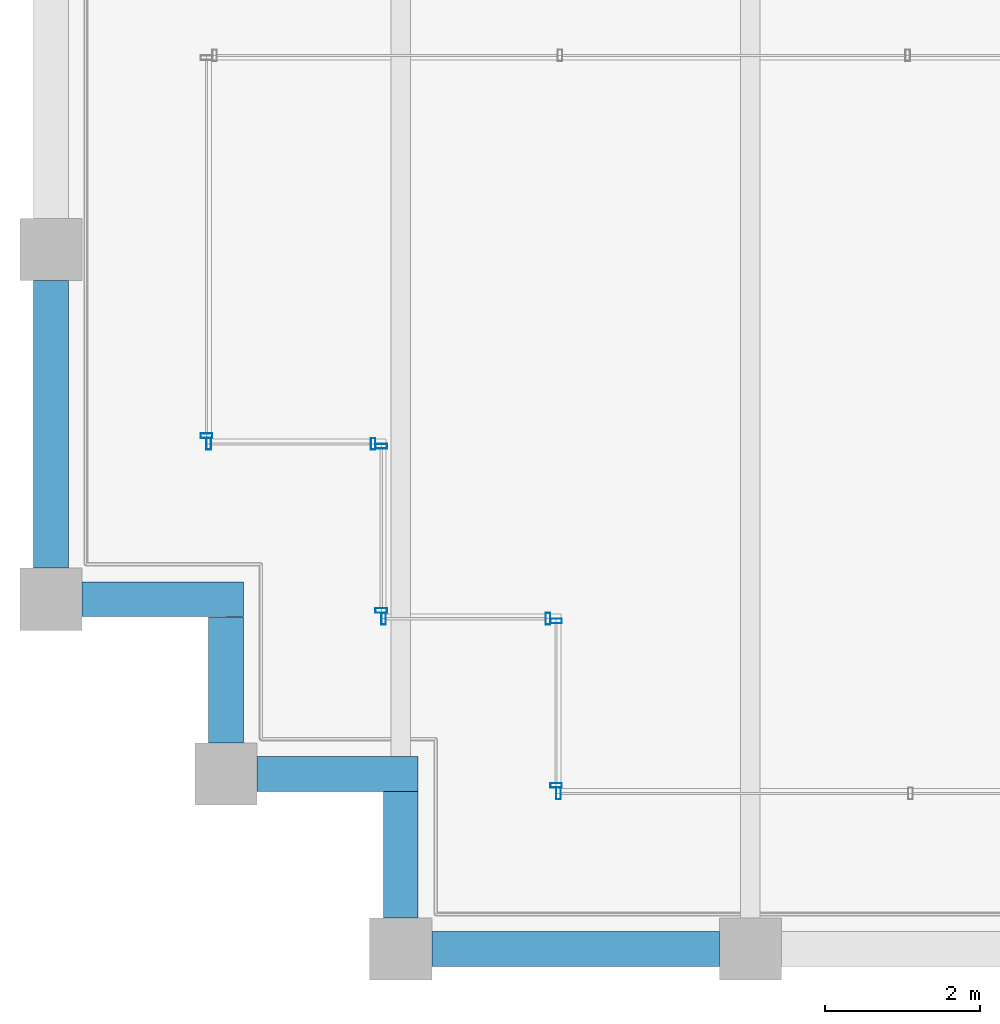
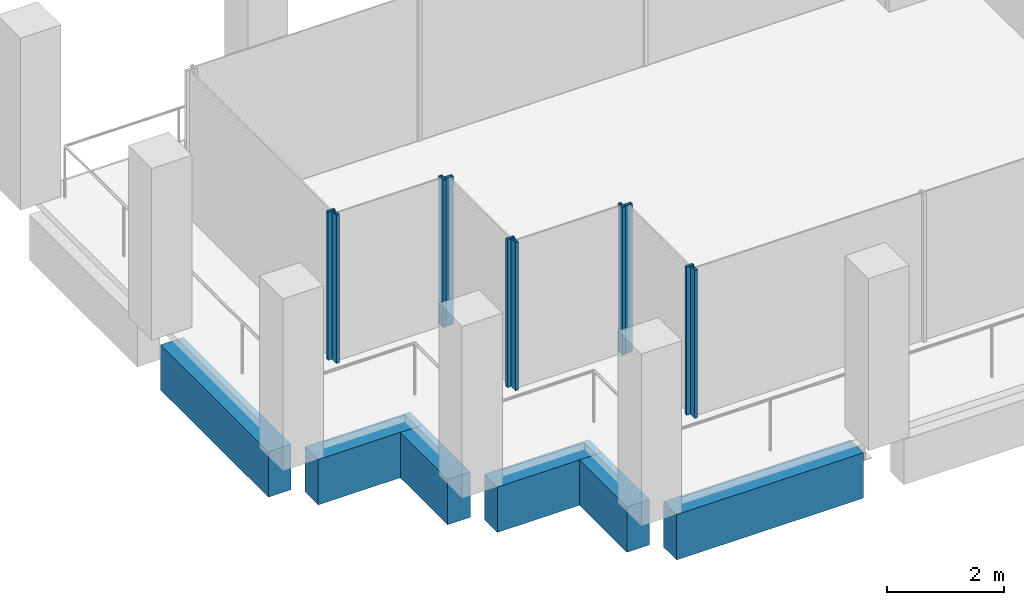
# One storey, part 3 of 62: 10 members, 6 beams, 6 elements without a shape of their own.
"""IFC4 building model written with IfcOpenShell, lengths in metres."""

import ifcopenshell
import ifcopenshell.guid

model = None  # the IFC model being written
_history = None  # IfcOwnerHistory: only IFC2X3 demands one
_inside = {}  # id of a spatial element -> (the spatial element, [elements in it])
_under = {}  # id of a project, library or spatial element -> (it, [spatial elements below it])
_declared = {}  # id of a project -> (the project, [libraries it declares])
_typed = {}  # id of a type object -> (the type object, [elements of that type])
_made_of = {}  # id of a material, layer set ... -> (it, [elements and type objects made of it])


def new_model(schema):
    """Start an empty IFC model of exactly this schema.

    Asked for "IFC4X3", IfcOpenShell would pick the latest addendum, in which some entities
    have other attributes; the version numbers below select the first issue.
    IFC2X3 requires an IfcOwnerHistory on every rooted entity: one is made here for all.
    """
    global model, _history
    if schema == "IFC4X3":
        model = ifcopenshell.file(schema_version=(4, 3, 0, 0))
    else:
        model = ifcopenshell.file(schema=schema)
    _inside.clear()
    _under.clear()
    _declared.clear()
    _typed.clear()
    _made_of.clear()
    _history = None
    if model.schema == "IFC2X3":
        org = make("IfcOrganization", Name="unknown")
        user = make(
            "IfcPersonAndOrganization",
            ThePerson=make("IfcPerson", FamilyName="unknown"),
            TheOrganization=org,
        )
        app = make(
            "IfcApplication",
            ApplicationDeveloper=org,
            Version="unknown",
            ApplicationFullName="unknown",
            ApplicationIdentifier="unknown",
        )
        _history = make(
            "IfcOwnerHistory",
            OwningUser=user,
            OwningApplication=app,
            ChangeAction="ADDED",
            CreationDate=0,
        )
    return model


def make(cls, **values):
    """One entity of the class cls with the attributes given. An attribute that is None is left unset."""
    return model.create_entity(
        cls, **{name: value for name, value in values.items() if value is not None}
    )


def rooted(cls, **values):
    """An entity with a GlobalId (a new one), such as an element, a storey or a relation."""
    return make(cls, GlobalId=ifcopenshell.guid.new(), OwnerHistory=_history, **values)


def si_unit(unit_type, name, prefix=None):
    """IfcSIUnit, for example si_unit("LENGTHUNIT", "METRE", prefix="MILLI")."""
    return make("IfcSIUnit", UnitType=unit_type, Prefix=prefix, Name=name)


def assignment(units):
    """IfcUnitAssignment: the units of a project."""
    return None if units is None else make("IfcUnitAssignment", Units=units)


def point(xyz):
    """IfcCartesianPoint."""
    return None if xyz is None else make("IfcCartesianPoint", Coordinates=xyz)


def direction(xyz):
    """IfcDirection."""
    return None if xyz is None else make("IfcDirection", DirectionRatios=xyz)


def frame(location, z_axis=None, x_axis=None):
    """IfcAxis2Placement3D, a coordinate frame: its origin and axes. An axis left out is left unset."""
    return make(
        "IfcAxis2Placement3D",
        Location=point(location),
        Axis=direction(z_axis),
        RefDirection=direction(x_axis),
    )


def frame_2d(location, x_axis=None):
    """IfcAxis2Placement2D, a coordinate frame in the plane: its origin and x axis."""
    return make(
        "IfcAxis2Placement2D", Location=point(location), RefDirection=direction(x_axis)
    )


def origin():
    """The frame at (0, 0, 0) with its axes left unset."""
    return frame((0.0, 0.0, 0.0))


def origin_2d():
    """The frame at (0, 0) in the plane with its x axis left unset."""
    return frame_2d((0.0, 0.0))


def place(relative_to, where):
    """IfcLocalPlacement: puts the frame where relative to a parent placement (None: the world)."""
    return make(
        "IfcLocalPlacement", PlacementRelTo=relative_to, RelativePlacement=where
    )


def context(
    kind, dimensions, precision=None, world=None, true_north=None, identifier=None
):
    """IfcGeometricRepresentationContext, for example the 3D "Model" context."""
    return make(
        "IfcGeometricRepresentationContext",
        ContextIdentifier=identifier,
        ContextType=kind,
        CoordinateSpaceDimension=dimensions,
        Precision=precision,
        WorldCoordinateSystem=world,
        TrueNorth=true_north,
    )


def subcontext(parent, identifier, kind, view, scale=None):
    """IfcGeometricRepresentationSubContext, for example "Body" below "Model"."""
    return make(
        "IfcGeometricRepresentationSubContext",
        ContextIdentifier=identifier,
        ContextType=kind,
        ParentContext=parent,
        TargetScale=scale,
        TargetView=view,
    )


def project(units=None, contexts=None):
    """IfcProject with its units and contexts."""
    return rooted(
        "IfcProject",
        Name="project",
        RepresentationContexts=contexts,
        UnitsInContext=assignment(units),
    )


def spatial(cls, under=None, at=None, **own):
    """A site, building, storey or space (cls), placed at a placement, below another one or the project."""
    s = rooted(cls, ObjectPlacement=at, **own)
    if under is not None:
        _under.setdefault(under.id(), (under, []))[1].append(s)
    return s


def profile(cls, at=None, kind="AREA", **sizes):
    """A parametric profile (cls). Its sizes go by their IFC names, for example OverallWidth=200.0."""
    return make(cls, ProfileType=kind, Position=at, **sizes)


def rectangle(**sizes):
    """IfcRectangleProfileDef."""
    return profile("IfcRectangleProfileDef", **sizes)


def hollow_rectangle(**sizes):
    """IfcRectangleHollowProfileDef."""
    return profile("IfcRectangleHollowProfileDef", **sizes)


def extrude(swept, where, along, depth):
    """IfcExtrudedAreaSolid: the profile swept, set in the frame where, extruded along a direction by depth."""
    return make(
        "IfcExtrudedAreaSolid",
        SweptArea=swept,
        Position=where,
        ExtrudedDirection=direction(along),
        Depth=depth,
    )


def shape(context_of_items, identifier, shape_type, items):
    """IfcShapeRepresentation: the items that make up one representation, for example the "Body"."""
    return make(
        "IfcShapeRepresentation",
        ContextOfItems=context_of_items,
        RepresentationIdentifier=identifier,
        RepresentationType=shape_type,
        Items=items,
    )


def material(Name=None, Category=None):
    """IfcMaterial."""
    return make("IfcMaterial", Name=Name, Category=Category)


def material_profile(
    of_material, cross_section, Name=None, Category=None, Priority=None
):
    """IfcMaterialProfile: a cross section and its material."""
    return make(
        "IfcMaterialProfile",
        Name=Name,
        Material=of_material,
        Profile=cross_section,
        Priority=Priority,
        Category=Category,
    )


def profile_set(profiles, Name=None, composite=None):
    """IfcMaterialProfileSet."""
    return make(
        "IfcMaterialProfileSet",
        Name=Name,
        MaterialProfiles=profiles,
        CompositeProfile=composite,
    )


def made_of(thing, what):
    """Note that an element or type object is made of a material, layer set ...; save() writes the relation."""
    if what is not None:
        _made_of.setdefault(what.id(), (what, []))[1].append(thing)
    return thing


def type_object(cls, material=None, **own):
    """A type object (cls), such as IfcWallType, which elements share."""
    return made_of(rooted(cls, **own), material)


def element(
    cls,
    number,
    at=None,
    inside=None,
    cuts=None,
    type_object=None,
    material=None,
    context=None,
    identifier="Body",
    shape_type=None,
    held_by="IfcProductDefinitionShape",
    body=None,
    shapes=None,
    **own,
):
    """One element of the class cls, such as IfcWall. Its Tag is "e" and its number.

    at: its placement. inside: the storey or other place that contains it. cuts: it is an
    opening in that element (IfcRelVoidsElement). A single representation is given by context,
    identifier, shape_type and body (its items); several are given by shapes. held_by: the class
    of the entity that holds the representations. save() writes the other relations.
    """
    e = rooted(cls, Tag="e%d" % number, ObjectPlacement=at, **own)
    if body is not None:
        shapes = [shape(context, identifier, shape_type, body)]
    if shapes is not None:
        e.Representation = make(held_by, Representations=shapes)
    if inside is not None:
        _inside.setdefault(inside.id(), (inside, []))[1].append(e)
    if cuts is not None:
        rooted(
            "IfcRelVoidsElement", RelatingBuildingElement=cuts, RelatedOpeningElement=e
        )
    if type_object is not None:
        _typed.setdefault(type_object.id(), (type_object, []))[1].append(e)
    return made_of(e, material)


def aggregate(whole, parts):
    """IfcRelAggregates: a whole, such as a stair, and the parts it consists of."""
    return rooted("IfcRelAggregates", RelatingObject=whole, RelatedObjects=parts)


def save(model, path):
    """Write the relations noted so far, then the file.

    IfcRelAggregates (storeys below a building ...), IfcRelContainedInSpatialStructure (elements
    in a storey), IfcRelDefinesByType, IfcRelAssociatesMaterial and IfcRelDeclares: one each for
    every whole, place, type object, material and project.
    """
    for whole, parts in _under.values():
        aggregate(whole, parts)
    for where, things in _inside.values():
        rooted(
            "IfcRelContainedInSpatialStructure",
            RelatedElements=things,
            RelatingStructure=where,
        )
    for kind, things in _typed.values():
        rooted("IfcRelDefinesByType", RelatedObjects=things, RelatingType=kind)
    for what, things in _made_of.values():
        rooted("IfcRelAssociatesMaterial", RelatedObjects=things, RelatingMaterial=what)
    for by, libraries in _declared.values():
        rooted("IfcRelDeclares", RelatingContext=by, RelatedDefinitions=libraries)
    model.write(path)


model = new_model("IFC4")

# Units and contexts
model_context = context("Model", 3, precision=1e-05, world=origin(), true_north=direction((0.0, 1.0)))
body_context = subcontext(model_context, "Body", "Model", "MODEL_VIEW")
ifc_project = project(units=[si_unit("LENGTHUNIT", "METRE"), si_unit("AREAUNIT", "SQUARE_METRE"), si_unit("VOLUMEUNIT", "CUBIC_METRE"), si_unit("PLANEANGLEUNIT", "RADIAN"), si_unit("MASSUNIT", "GRAM", prefix="KILO")], contexts=[model_context])

# Site, building, storey
site_placement = place(None, origin())
site = spatial("IfcSite", under=ifc_project, at=site_placement, CompositionType="ELEMENT")
building_placement = place(site_placement, origin())
building = spatial("IfcBuilding", under=site, at=building_placement, Name="Altepetl Exchange Towers", CompositionType="ELEMENT")
storey_placement = place(building_placement, frame((0.0, 0.0, 210.0)))
storey = spatial("IfcBuildingStorey", under=building, at=storey_placement, Name="L53", CompositionType="ELEMENT", Elevation=210.0)

# Curtain wall, member
ifc_material_1 = material(Name="Aluminium 6063-T6 glazing", Category="aluminium")
curtain_wall_type = type_object("IfcCurtainWallType", Name="Loggia glazing system", PredefinedType="NOTDEFINED", material=ifc_material_1)
curtain_wall_1_placement = place(storey_placement, origin())
curtain_wall_1 = element("IfcCurtainWall", 1, at=curtain_wall_1_placement, inside=storey, type_object=curtain_wall_type, Name="CW1 run", PredefinedType="NOTDEFINED")
ifc_material_2 = material(Name="Aluminium 6063-T6", Category="aluminium")
ifc_material_profile_1 = material_profile(ifc_material_2, hollow_rectangle(XDim=0.06005859375, YDim=0.14990234375, WallThickness=0.0029296875, at=origin_2d()), Name="Mullion 60x150 aluminium")
ifc_profile_set_1 = profile_set([ifc_material_profile_1], Name="Aluminium 6063-T6")
member_type = type_object("IfcMemberType", Name="Mullion 60x150 aluminium", PredefinedType="MULLION", material=ifc_profile_set_1)
member_1_placement = place(storey_placement, frame((29.0, 33.60498046875, 0.0), z_axis=(0.0, 0.0, 1.0), x_axis=(0.0, -1.0, 0.0)))
member_1 = element("IfcMember", 2, at=member_1_placement, type_object=member_type, Name="MU1 mullion", PredefinedType="MULLION", context=body_context, shape_type="SweptSolid", body=[
    extrude(hollow_rectangle(XDim=0.06005859375, YDim=0.14990234375, WallThickness=0.0029296875, at=origin_2d()), origin(), (0.0, 0.0, 1.0), 3.10009765625),
])
aggregate(curtain_wall_1, [member_1])

# Curtain wall, members
curtain_wall_2_placement = place(storey_placement, origin())
curtain_wall_2 = element("IfcCurtainWall", 3, at=curtain_wall_2_placement, inside=storey, type_object=curtain_wall_type, Name="CW1 run", PredefinedType="NOTDEFINED")
member_2_placement = place(storey_placement, frame((29.030029296875, 33.5, 0.0)))
member_2 = element("IfcMember", 4, at=member_2_placement, type_object=member_type, Name="MU1 mullion", PredefinedType="MULLION", context=body_context, shape_type="SweptSolid", body=[
    extrude(hollow_rectangle(XDim=0.06005859375, YDim=0.14990234375, WallThickness=0.0029296875, at=origin_2d()), origin(), (0.0, 0.0, 1.0), 3.10009765625),
])
member_3_placement = place(storey_placement, frame((31.14501953125, 33.5, 0.0)))
member_3 = element("IfcMember", 5, at=member_3_placement, type_object=member_type, Name="MU1 mullion", PredefinedType="MULLION", context=body_context, shape_type="SweptSolid", body=[
    extrude(hollow_rectangle(XDim=0.06005859375, YDim=0.14990234375, WallThickness=0.0029296875, at=origin_2d()), origin(), (0.0, 0.0, 1.0), 3.10009765625),
])
aggregate(curtain_wall_2, [member_2, member_3])

curtain_wall_3_placement = place(storey_placement, origin())
curtain_wall_3 = element("IfcCurtainWall", 6, at=curtain_wall_3_placement, inside=storey, type_object=curtain_wall_type, Name="CW1 run", PredefinedType="NOTDEFINED")
member_4_placement = place(storey_placement, frame((31.25, 33.469970703125, 0.0), z_axis=(0.0, 0.0, 1.0), x_axis=(0.0, -1.0, 0.0)))
member_4 = element("IfcMember", 7, at=member_4_placement, type_object=member_type, Name="MU1 mullion", PredefinedType="MULLION", context=body_context, shape_type="SweptSolid", body=[
    extrude(hollow_rectangle(XDim=0.06005859375, YDim=0.14990234375, WallThickness=0.0029296875, at=origin_2d()), origin(), (0.0, 0.0, 1.0), 3.10009765625),
])
member_5_placement = place(storey_placement, frame((31.25, 31.35498046875, 0.0), z_axis=(0.0, 0.0, 1.0), x_axis=(0.0, -1.0, 0.0)))
member_5 = element("IfcMember", 8, at=member_5_placement, type_object=member_type, Name="MU1 mullion", PredefinedType="MULLION", context=body_context, shape_type="SweptSolid", body=[
    extrude(hollow_rectangle(XDim=0.06005859375, YDim=0.14990234375, WallThickness=0.0029296875, at=origin_2d()), origin(), (0.0, 0.0, 1.0), 3.10009765625),
])
aggregate(curtain_wall_3, [member_4, member_5])

curtain_wall_4_placement = place(storey_placement, origin())
curtain_wall_4 = element("IfcCurtainWall", 9, at=curtain_wall_4_placement, inside=storey, type_object=curtain_wall_type, Name="CW1 run", PredefinedType="NOTDEFINED")
member_6_placement = place(storey_placement, frame((31.280029296875, 31.25, 0.0)))
member_6 = element("IfcMember", 10, at=member_6_placement, type_object=member_type, Name="MU1 mullion", PredefinedType="MULLION", context=body_context, shape_type="SweptSolid", body=[
    extrude(hollow_rectangle(XDim=0.06005859375, YDim=0.14990234375, WallThickness=0.0029296875, at=origin_2d()), origin(), (0.0, 0.0, 1.0), 3.10009765625),
])
member_7_placement = place(storey_placement, frame((33.39501953125, 31.25, 0.0)))
member_7 = element("IfcMember", 11, at=member_7_placement, type_object=member_type, Name="MU1 mullion", PredefinedType="MULLION", context=body_context, shape_type="SweptSolid", body=[
    extrude(hollow_rectangle(XDim=0.06005859375, YDim=0.14990234375, WallThickness=0.0029296875, at=origin_2d()), origin(), (0.0, 0.0, 1.0), 3.10009765625),
])
aggregate(curtain_wall_4, [member_6, member_7])

curtain_wall_5_placement = place(storey_placement, origin())
curtain_wall_5 = element("IfcCurtainWall", 12, at=curtain_wall_5_placement, inside=storey, type_object=curtain_wall_type, Name="CW1 run", PredefinedType="NOTDEFINED")
member_8_placement = place(storey_placement, frame((33.5, 31.219970703125, 0.0), z_axis=(0.0, 0.0, 1.0), x_axis=(0.0, -1.0, 0.0)))
member_8 = element("IfcMember", 13, at=member_8_placement, type_object=member_type, Name="MU1 mullion", PredefinedType="MULLION", context=body_context, shape_type="SweptSolid", body=[
    extrude(hollow_rectangle(XDim=0.06005859375, YDim=0.14990234375, WallThickness=0.0029296875, at=origin_2d()), origin(), (0.0, 0.0, 1.0), 3.10009765625),
])
member_9_placement = place(storey_placement, frame((33.5, 29.10498046875, 0.0), z_axis=(0.0, 0.0, 1.0), x_axis=(0.0, -1.0, 0.0)))
member_9 = element("IfcMember", 14, at=member_9_placement, type_object=member_type, Name="MU1 mullion", PredefinedType="MULLION", context=body_context, shape_type="SweptSolid", body=[
    extrude(hollow_rectangle(XDim=0.06005859375, YDim=0.14990234375, WallThickness=0.0029296875, at=origin_2d()), origin(), (0.0, 0.0, 1.0), 3.10009765625),
])
aggregate(curtain_wall_5, [member_8, member_9])

# Curtain wall, member
curtain_wall_6_placement = place(storey_placement, origin())
curtain_wall_6 = element("IfcCurtainWall", 15, at=curtain_wall_6_placement, inside=storey, type_object=curtain_wall_type, Name="CW1 run", PredefinedType="NOTDEFINED")
member_10_placement = place(storey_placement, frame((33.530029296875, 29.0, 0.0)))
member_10 = element("IfcMember", 16, at=member_10_placement, type_object=member_type, Name="MU1 mullion", PredefinedType="MULLION", context=body_context, shape_type="SweptSolid", body=[
    extrude(hollow_rectangle(XDim=0.06005859375, YDim=0.14990234375, WallThickness=0.0029296875, at=origin_2d()), origin(), (0.0, 0.0, 1.0), 3.10009765625),
])
aggregate(curtain_wall_6, [member_10])

# Beams
ifc_material_3 = material(Name="Concrete C50/60 precast with cantera blanca facing", Category="concrete")
ifc_material_profile_2 = material_profile(ifc_material_3, rectangle(XDim=0.449951171875, YDim=0.949951171875, at=origin_2d()), Name="450 x 950")
ifc_profile_set_2 = profile_set([ifc_material_profile_2], Name="Concrete C50/60 precast with cantera blanca facing")
beam_type = type_object("IfcBeamType", Name="Spandrel beam 450x950 cantera blanca", PredefinedType="SPANDREL", material=ifc_profile_set_2)
for number, where, z_axis, x_axis, name in (
    (17, (31.89990234375, 27.0, -0.625), (1.0, 0.0, 0.0), (0.0, 1.0, 0.0), "sp:A:L53:000"),
    (18, (27.0, 35.60009765625, -0.625), (0.0, -1.0, 0.0), (1.0, 0.0, 0.0), "sp:A:L53:037"),
):
    element("IfcBeam", number, at=place(storey_placement, frame(where, z_axis=z_axis, x_axis=x_axis)), inside=storey, type_object=beam_type, Name=name, PredefinedType="SPANDREL", context=body_context, shape_type="SweptSolid", body=[
        extrude(rectangle(XDim=0.449951171875, YDim=0.949951171875, at=origin_2d()), origin(), (0.0, 0.0, 1.0), 3.7001953125),
    ])
beam_1_placement = place(storey_placement, frame((27.39990234375, 31.5, -0.625), z_axis=(1.0, 0.0, 0.0), x_axis=(0.0, 1.0, 0.0)))
element("IfcBeam", 19, at=beam_1_placement, inside=storey, type_object=beam_type, Name="sp:A:L53:038", PredefinedType="SPANDREL", context=body_context, shape_type="SweptSolid", body=[
    extrude(rectangle(XDim=0.449951171875, YDim=0.949951171875, at=origin_2d()), origin(), (0.0, 0.0, 1.0), 2.0751953125),
])
beam_2_placement = place(storey_placement, frame((29.25, 31.27490234375, -0.625), z_axis=(0.0, -1.0, 0.0), x_axis=(1.0, 0.0, 0.0)))
element("IfcBeam", 20, at=beam_2_placement, inside=storey, type_object=beam_type, Name="sp:A:L53:039", PredefinedType="SPANDREL", context=body_context, shape_type="SweptSolid", body=[
    extrude(rectangle(XDim=0.449951171875, YDim=0.949951171875, at=origin_2d()), origin(), (0.0, 0.0, 1.0), 1.625),
])
beam_3_placement = place(storey_placement, frame((29.64990234375, 29.25, -0.625), z_axis=(1.0, 0.0, 0.0), x_axis=(0.0, 1.0, 0.0)))
element("IfcBeam", 21, at=beam_3_placement, inside=storey, type_object=beam_type, Name="sp:A:L53:040", PredefinedType="SPANDREL", context=body_context, shape_type="SweptSolid", body=[
    extrude(rectangle(XDim=0.449951171875, YDim=0.949951171875, at=origin_2d()), origin(), (0.0, 0.0, 1.0), 2.0751953125),
])
beam_4_placement = place(storey_placement, frame((31.5, 29.02490234375, -0.625), z_axis=(0.0, -1.0, 0.0), x_axis=(1.0, 0.0, 0.0)))
element("IfcBeam", 22, at=beam_4_placement, inside=storey, type_object=beam_type, Name="sp:A:L53:041", PredefinedType="SPANDREL", context=body_context, shape_type="SweptSolid", body=[
    extrude(rectangle(XDim=0.449951171875, YDim=0.949951171875, at=origin_2d()), origin(), (0.0, 0.0, 1.0), 1.625),
])

save(model, "model.ifc")
